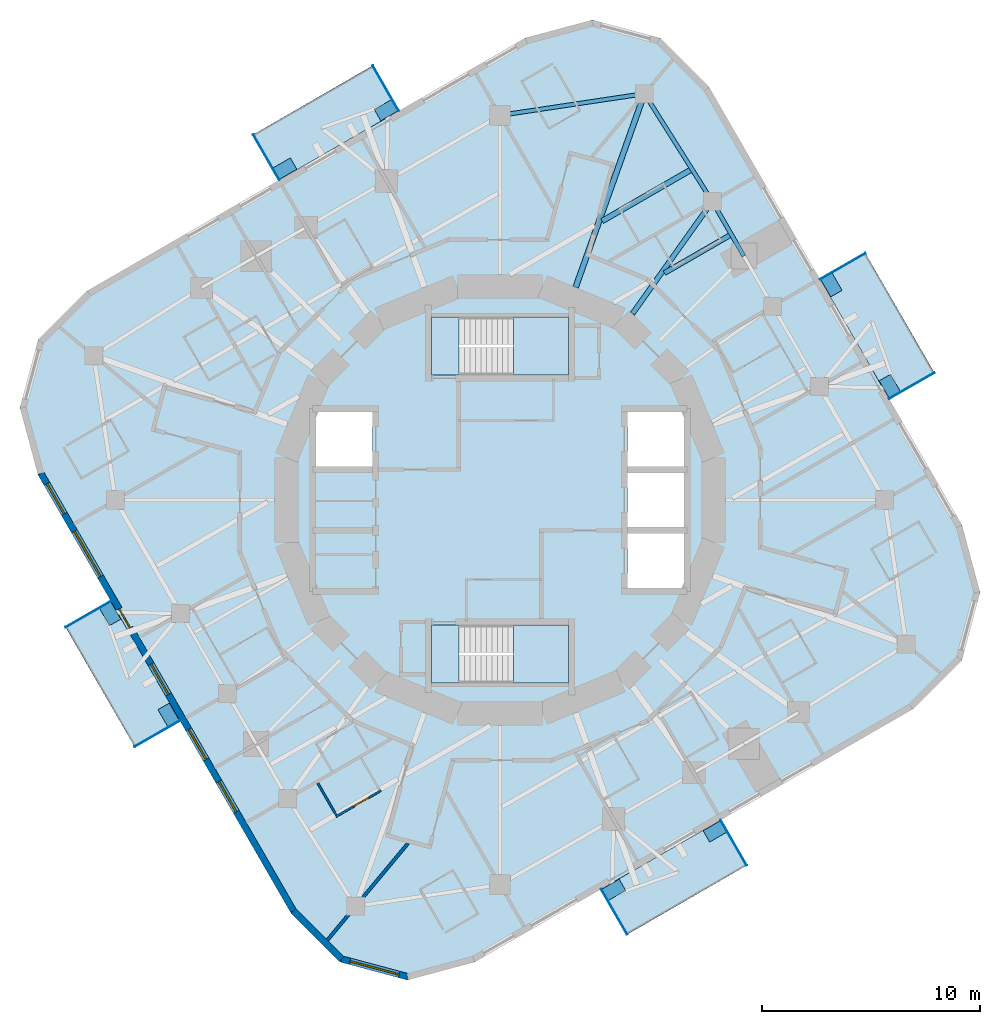
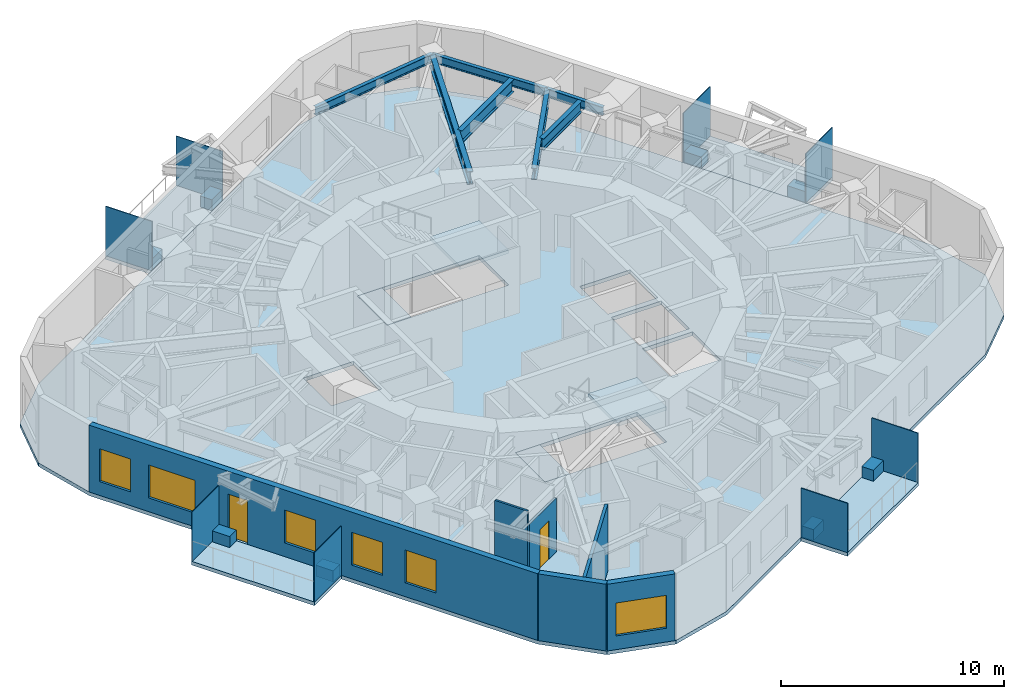
# One storey, part 3 of 11: 16 plates, 9 slabs, 7 beams, 6 walls, 6 windows, 2 doors, 8 openings, 2 elements without a shape of their own.
"""IFC4 building model written with IfcOpenShell, lengths in metres."""

from ifc_helpers import new_model, si_unit, direction, frame, frame_2d, origin, origin_2d, place, context, subcontext, project, spatial, polyline, rectangle, i_section, outline, extrude, material, layer, layer_set, material_profile, profile_set, type_object, element, fill, aggregate, save


model = new_model("IFC4")

# Units and contexts
model_context = context("Model", 3, precision=1e-05, world=origin(), true_north=direction((0.0, 1.0)))
body_context = subcontext(model_context, "Body", "Model", "MODEL_VIEW")
ifc_project = project(units=[si_unit("LENGTHUNIT", "METRE"), si_unit("AREAUNIT", "SQUARE_METRE"), si_unit("VOLUMEUNIT", "CUBIC_METRE"), si_unit("PLANEANGLEUNIT", "RADIAN"), si_unit("MASSUNIT", "GRAM", prefix="KILO")], contexts=[model_context])

# Site, building, storey
site_placement = place(None, origin())
site = spatial("IfcSite", under=ifc_project, at=site_placement, CompositionType="ELEMENT")
building_placement = place(site_placement, origin())
building = spatial("IfcBuilding", under=site, at=building_placement, Name="Nakasero Lantern House", CompositionType="ELEMENT")
storey_placement = place(building_placement, frame((0.0, 0.0, 242.35009765625)))
storey = spatial("IfcBuildingStorey", under=building, at=storey_placement, Name="L59", CompositionType="ELEMENT", Elevation=242.35009765625)

# Beams
ifc_material_1 = material(Name="Steel S355", Category="steel")
ifc_material_profile_1 = material_profile(ifc_material_1, i_section(OverallWidth=0.22900390625, OverallDepth=0.6123046875, WebThickness=0.011962890625, FlangeThickness=0.01953125, FilletRadius=0.0126953125, at=origin_2d()), Name="UB 610x229x125")
ifc_profile_set_1 = profile_set([ifc_material_profile_1], Name="Steel S355")
beam_type_1 = type_object("IfcBeamType", Name="Infill beam UB 610x229x125", PredefinedType="JOIST", material=ifc_profile_set_1)
beam_1_placement = place(storey_placement, frame((7.552001953125, 10.42236328125, 3.34375), z_axis=(0.866006607564, 0.500032554596, 0.0), x_axis=(-0.500032554596, 0.866006607564, 0.0)))
element("IfcBeam", 1, at=beam_1_placement, inside=storey, type_object=beam_type_1, Name="Infill beam L60 08.3", PredefinedType="JOIST", context=body_context, shape_type="SweptSolid", body=[
    extrude(i_section(OverallWidth=0.22900390625, OverallDepth=0.6123046875, WebThickness=0.011962890625, FlangeThickness=0.01953125, FilletRadius=0.0126953125, at=origin_2d()), origin(), (0.0, 0.0, 1.0), 3.452880859375),
])
ifc_material_2 = material(Name="Steel S355", Category="steel")
ifc_material_profile_2 = material_profile(ifc_material_2, i_section(OverallWidth=0.253662109375, OverallDepth=0.68359375, WebThickness=0.012451171875, FlangeThickness=0.01904296875, FilletRadius=0.01513671875, at=origin_2d()), Name="UB 686x254x140")
ifc_profile_set_2 = profile_set([ifc_material_profile_2], Name="Steel S355")
beam_type_2 = type_object("IfcBeamType", Name="Infill beam UB 686x254x140", PredefinedType="JOIST", material=ifc_profile_set_2)
beam_2_placement = place(storey_placement, frame((4.691162109375, 12.81201171875, 3.30810546875), z_axis=(0.866030607649, 0.499990986534, 0.0), x_axis=(-0.499990986534, 0.866030607649, 0.0)))
element("IfcBeam", 2, at=beam_2_placement, inside=storey, type_object=beam_type_2, Name="Infill beam L60 09.3", PredefinedType="JOIST", context=body_context, shape_type="SweptSolid", body=[
    extrude(i_section(OverallWidth=0.253662109375, OverallDepth=0.68359375, WebThickness=0.012451171875, FlangeThickness=0.01904296875, FilletRadius=0.01513671875, at=origin_2d()), origin(), (0.0, 0.0, 1.0), 4.66943359375),
])
ifc_material_3 = material(Name="Steel S355", Category="steel")
ifc_material_profile_3 = material_profile(ifc_material_3, i_section(OverallWidth=0.22900390625, OverallDepth=0.6123046875, WebThickness=0.011962890625, FlangeThickness=0.01953125, FilletRadius=0.0126953125, at=origin_2d()), Name="UB 610x229x125")
ifc_profile_set_3 = profile_set([ifc_material_profile_3], Name="Steel S355")
beam_type_3 = type_object("IfcBeamType", Name="Primary beam UB 610x229x125, span 6 to 9 m", PredefinedType="BEAM", material=ifc_profile_set_3)
beam_3_placement = place(storey_placement, frame((9.75048828125, 13.711669921875, 3.34375), z_axis=(-0.579504973637, -0.814968702178, 0.0), x_axis=(0.814968702178, -0.579504973637, 0.0)))
element("IfcBeam", 3, at=beam_3_placement, inside=storey, type_object=beam_type_3, Name="Primary beam L60 B6-C07", PredefinedType="BEAM", context=body_context, shape_type="SweptSolid", body=[
    extrude(i_section(OverallWidth=0.22900390625, OverallDepth=0.6123046875, WebThickness=0.011962890625, FlangeThickness=0.01953125, FilletRadius=0.0126953125, at=origin_2d()), origin(), (0.0, 0.0, 1.0), 6.320556640625),
])
ifc_material_4 = material(Name="Steel S355", Category="steel")
ifc_material_profile_4 = material_profile(ifc_material_4, i_section(OverallWidth=0.255859375, OverallDepth=0.69287109375, WebThickness=0.014404296875, FlangeThickness=0.023681640625, FilletRadius=0.01513671875, at=origin_2d()), Name="UB 686x254x170")
ifc_profile_set_4 = profile_set([ifc_material_profile_4], Name="Steel S355")
beam_type_4 = type_object("IfcBeamType", Name="Primary beam UB 686x254x170, span 9 to 12 m", PredefinedType="BEAM", material=ifc_profile_set_4)
beam_4_placement = place(storey_placement, frame((6.63525390625, 18.661376953125, 3.303466796875), z_axis=(-0.335006604588, -0.942215779364, 0.0), x_axis=(0.942215779364, -0.335006604588, 0.0)))
element("IfcBeam", 4, at=beam_4_placement, inside=storey, type_object=beam_type_4, Name="Primary beam L60 B6-C08", PredefinedType="BEAM", context=body_context, shape_type="SweptSolid", body=[
    extrude(i_section(OverallWidth=0.255859375, OverallDepth=0.69287109375, WebThickness=0.014404296875, FlangeThickness=0.023681640625, FilletRadius=0.01513671875, at=origin_2d()), origin(), (0.0, 0.0, 1.0), 9.4345703125),
])
ifc_material_5 = material(Name="Steel S355", Category="steel")
ifc_material_profile_5 = material_profile(ifc_material_5, i_section(OverallWidth=0.18994140625, OverallDepth=0.453369140625, WebThickness=0.008544921875, FlangeThickness=0.0126953125, FilletRadius=0.01025390625, at=origin_2d()), Name="UB 457x191x67")
ifc_profile_set_5 = profile_set([ifc_material_profile_5], Name="Steel S355")
beam_type_5 = type_object("IfcBeamType", Name="Ring beam UB 457x191x67", PredefinedType="BEAM", material=ifc_profile_set_5)
beam_5_placement = place(storey_placement, frame((9.75048828125, 13.711669921875, 3.423095703125), z_axis=(-0.532660471024, 0.846329027393, 0.0), x_axis=(-0.846329027393, -0.532660471024, 0.0)))
element("IfcBeam", 5, at=beam_5_placement, inside=storey, type_object=beam_type_5, Name="Ring beam L60 B6-C07", PredefinedType="BEAM", context=body_context, shape_type="SweptSolid", body=[
    extrude(i_section(OverallWidth=0.18994140625, OverallDepth=0.453369140625, WebThickness=0.008544921875, FlangeThickness=0.0126953125, FilletRadius=0.01025390625, at=origin_2d()), origin(), (0.0, 0.0, 1.0), 5.848388671875),
])
ifc_material_6 = material(Name="Steel S355", Category="steel")
ifc_material_profile_6 = material_profile(ifc_material_6, i_section(OverallWidth=0.19140625, OverallDepth=0.4599609375, WebThickness=0.010009765625, FlangeThickness=0.01611328125, FilletRadius=0.01025390625, at=origin_2d()), Name="UB 457x191x82")
ifc_profile_set_6 = profile_set([ifc_material_profile_6], Name="Steel S355")
beam_type_6 = type_object("IfcBeamType", Name="Ring beam UB 457x191x82", PredefinedType="BEAM", material=ifc_profile_set_6)
beam_6_placement = place(storey_placement, frame((11.200439453125, 11.200439453125, 3.419921875), z_axis=(-0.500023687443, 0.866011727401, 0.0), x_axis=(-0.866011727401, -0.500023687443, 0.0)))
element("IfcBeam", 6, at=beam_6_placement, inside=storey, type_object=beam_type_6, Name="Ring beam L60 B6-C06", PredefinedType="BEAM", context=body_context, shape_type="SweptSolid", body=[
    extrude(i_section(OverallWidth=0.19140625, OverallDepth=0.4599609375, WebThickness=0.010009765625, FlangeThickness=0.01611328125, FilletRadius=0.01025390625, at=origin_2d()), origin(), (0.0, 0.0, 1.0), 2.899658203125),
])
beam_7_placement = place(storey_placement, frame((6.63525390625, 18.661376953125, 3.419921875), z_axis=(-0.988956095107, -0.148208778253, 0.0), x_axis=(0.148208778253, -0.988956095107, 0.0)))
element("IfcBeam", 7, at=beam_7_placement, inside=storey, type_object=beam_type_6, Name="Ring beam L60 B6-C08", PredefinedType="BEAM", context=body_context, shape_type="SweptSolid", body=[
    extrude(i_section(OverallWidth=0.19140625, OverallDepth=0.4599609375, WebThickness=0.010009765625, FlangeThickness=0.01611328125, FilletRadius=0.01025390625, at=origin_2d()), origin(), (0.0, 0.0, 1.0), 6.70947265625),
])

# Plates
ifc_material_7 = material(Name="Aluminium 6063-T6", Category="aluminium")
ifc_layer_1 = layer(ifc_material_7, 0.60009765625)
ifc_layer_set_1 = layer_set([ifc_layer_1], Name="Balcony planter 600x900")
plate_type_1 = type_object("IfcPlateType", Name="Balcony planter 600x900", PredefinedType="USERDEFINED", material=ifc_layer_set_1)
for number, where, z_axis, x_axis, name in (
    (8, (17.901611328125, 5.2333984375, -0.000244140625), (0.0, 0.0, 1.0), (0.866025403784, 0.5, 0.0), "Balcony PLANTER L59 BAL0A"),
    (9, (15.225830078125, 9.867919921875, -0.000244140625), (0.0, 0.0, 1.0), (0.866025403784, 0.5, 0.0), "Balcony PLANTER L59 BAL0B"),
    (10, (-5.2333984375, 17.901611328125, -0.000244140625), (0.0, 0.0, 1.0), (-0.5, 0.866025403784, 0.0), "Balcony PLANTER L59 BAL1A"),
    (11, (-9.867919921875, 15.225830078125, -0.000244140625), (0.0, 0.0, 1.0), (-0.5, 0.866025403784, 0.0), "Balcony PLANTER L59 BAL1B"),
    (12, (-17.901611328125, -5.2333984375, -0.000244140625), (0.0, 0.0, 1.0), (-0.866025403784, -0.5, 0.0), "Balcony PLANTER L59 BAL2A"),
    (13, (-15.225830078125, -9.867919921875, -0.000244140625), (0.0, 0.0, 1.0), (-0.866025403784, -0.5, 0.0), "Balcony PLANTER L59 BAL2B"),
    (14, (5.2333984375, -17.901611328125, -0.000244140625), (0.0, 0.0, 1.0), (0.5, -0.866025403784, 0.0), "Balcony PLANTER L59 BAL3A"),
    (15, (9.867919921875, -15.225830078125, -0.000244140625), (0.0, 0.0, 1.0), (0.5, -0.866025403784, 0.0), "Balcony PLANTER L59 BAL3B"),
):
    element("IfcPlate", number, at=place(storey_placement, frame(where, z_axis=z_axis, x_axis=x_axis)), inside=storey, type_object=plate_type_1, Name=name, ObjectType="PLANTER", PredefinedType="USERDEFINED", context=body_context, shape_type="SweptSolid", body=[
        extrude(rectangle(XDim=0.60009765625, YDim=0.89990234375, at=origin_2d()), origin(), (0.0, 0.0, 1.0), 0.60009765625),
    ])
ifc_material_8 = material(Name="Aluminium 6063-T6", Category="aluminium")
ifc_layer_2 = layer(ifc_material_8, 0.0400390625)
ifc_layer_set_2 = layer_set([ifc_layer_2], Name="Balcony screen 2400x2700")
plate_type_2 = type_object("IfcPlateType", Name="Balcony screen 2400x2700", PredefinedType="SHEET", material=ifc_layer_set_2)
for number, where, z_axis, x_axis, name in (
    (16, (18.90869140625, 5.2490234375, 0.0), (0.0, 0.0, 1.0), (0.866025403784, 0.5, 0.0), "Balcony SCREEN L59 BAL0A"),
    (17, (15.7431640625, 10.732177734375, 0.0), (0.0, 0.0, 1.0), (0.866025403784, 0.5, 0.0), "Balcony SCREEN L59 BAL0B"),
    (18, (-5.2490234375, 18.90869140625, 0.0), (0.0, 0.0, 1.0), (-0.5, 0.866025403784, 0.0), "Balcony SCREEN L59 BAL1A"),
    (19, (-10.732177734375, 15.7431640625, 0.0), (0.0, 0.0, 1.0), (-0.5, 0.866025403784, 0.0), "Balcony SCREEN L59 BAL1B"),
    (20, (-18.90869140625, -5.2490234375, 0.0), (0.0, 0.0, 1.0), (-0.866025403784, -0.5, 0.0), "Balcony SCREEN L59 BAL2A"),
    (21, (-15.7431640625, -10.732177734375, 0.0), (0.0, 0.0, 1.0), (-0.866025403784, -0.5, 0.0), "Balcony SCREEN L59 BAL2B"),
    (22, (5.2490234375, -18.90869140625, 0.0), (0.0, 0.0, 1.0), (0.5, -0.866025403784, 0.0), "Balcony SCREEN L59 BAL3A"),
    (23, (10.732177734375, -15.7431640625, 0.0), (0.0, 0.0, 1.0), (0.5, -0.866025403784, 0.0), "Balcony SCREEN L59 BAL3B"),
):
    element("IfcPlate", number, at=place(storey_placement, frame(where, z_axis=z_axis, x_axis=x_axis)), inside=storey, type_object=plate_type_2, Name=name, PredefinedType="SHEET", context=body_context, shape_type="SweptSolid", body=[
        extrude(rectangle(XDim=2.39990234375, YDim=0.0400390625, at=origin_2d()), origin(), (0.0, 0.0, 1.0), 2.699951171875),
    ])

# Slabs
ifc_material_9 = material(Name="Concrete C35/45", Category="concrete")
ifc_layer_3 = layer(ifc_material_9, 0.199951171875)
ifc_layer_set_3 = layer_set([ifc_layer_3], Name="Balcony slab 200")
slab_type_1 = type_object("IfcSlabType", Name="Balcony slab 200", PredefinedType="USERDEFINED", material=ifc_layer_set_3)
slab_1_placement = place(storey_placement, frame((0.0, 0.0, -0.2001953125)))
element("IfcSlab", 24, at=slab_1_placement, inside=storey, type_object=slab_type_1, Name="Balcony L59 BAL0", ObjectType="BALCONY", PredefinedType="USERDEFINED", context=body_context, shape_type="SweptSolid", body=[
    extrude(outline(polyline([(17.879638671875, 4.6318359375), (19.9580078125, 5.831787109375), (16.772216796875, 11.349609375), (14.69384765625, 10.149658203125), (17.879638671875, 4.6318359375)])), origin(), (0.0, 0.0, 1.0), 0.2001953125),
])
slab_2_placement = place(storey_placement, frame((0.0, 0.0, -0.2001953125)))
element("IfcSlab", 25, at=slab_2_placement, inside=storey, type_object=slab_type_1, Name="Balcony L59 BAL1", ObjectType="BALCONY", PredefinedType="USERDEFINED", context=body_context, shape_type="SweptSolid", body=[
    extrude(outline(polyline([(-4.6318359375, 17.879638671875), (-5.831787109375, 19.9580078125), (-11.349609375, 16.772216796875), (-10.149658203125, 14.69384765625), (-4.6318359375, 17.879638671875)])), origin(), (0.0, 0.0, 1.0), 0.2001953125),
])
slab_3_placement = place(storey_placement, frame((0.0, 0.0, -0.2001953125)))
element("IfcSlab", 26, at=slab_3_placement, inside=storey, type_object=slab_type_1, Name="Balcony L59 BAL2", ObjectType="BALCONY", PredefinedType="USERDEFINED", context=body_context, shape_type="SweptSolid", body=[
    extrude(outline(polyline([(-17.879638671875, -4.6318359375), (-19.9580078125, -5.831787109375), (-16.772216796875, -11.349609375), (-14.69384765625, -10.149658203125), (-17.879638671875, -4.6318359375)])), origin(), (0.0, 0.0, 1.0), 0.2001953125),
])
slab_4_placement = place(storey_placement, frame((0.0, 0.0, -0.2001953125)))
element("IfcSlab", 27, at=slab_4_placement, inside=storey, type_object=slab_type_1, Name="Balcony L59 BAL3", ObjectType="BALCONY", PredefinedType="USERDEFINED", context=body_context, shape_type="SweptSolid", body=[
    extrude(outline(polyline([(4.6318359375, -17.879638671875), (5.831787109375, -19.9580078125), (11.349609375, -16.772216796875), (10.149658203125, -14.69384765625), (4.6318359375, -17.879638671875)])), origin(), (0.0, 0.0, 1.0), 0.2001953125),
])
ifc_material_10 = material(Name="Concrete C35/45", Category="concrete")
ifc_layer_4 = layer(ifc_material_10, 0.199951171875)
ifc_layer_set_4 = layer_set([ifc_layer_4], Name="Composite floor slab 200")
slab_type_2 = type_object("IfcSlabType", Name="Composite floor slab 200", PredefinedType="FLOOR", material=ifc_layer_set_4)
slab_5_placement = place(storey_placement, frame((0.0, 0.0, -0.2001953125)))
element("IfcSlab", 28, at=slab_5_placement, inside=storey, type_object=slab_type_2, Name="Floor slab L59", PredefinedType="FLOOR", context=body_context, shape_type="SweptSolid", body=[
    extrude(outline(polyline([(9.615234375, 18.94580078125), (7.345947265625, 21.21533203125), (4.245849609375, 22.0458984375), (1.14599609375, 21.21533203125), (-18.94580078125, 9.615234375), (-21.21533203125, 7.345947265625), (-22.0458984375, 4.245849609375), (-21.21533203125, 1.14599609375), (-9.615234375, -18.94580078125), (-7.345947265625, -21.21533203125), (-4.245849609375, -22.0458984375), (-1.14599609375, -21.21533203125), (18.94580078125, -9.615234375), (21.21533203125, -7.345947265625), (22.0458984375, -4.245849609375), (21.21533203125, -1.14599609375), (9.615234375, 18.94580078125)]), holes=[polyline([(-8.449951171875, 1.550048828125), (-5.85009765625, 1.550048828125), (-5.85009765625, 4.050048828125), (-8.449951171875, 4.050048828125), (-8.449951171875, 1.550048828125)]), polyline([(5.85009765625, -4.050048828125), (8.449951171875, -4.050048828125), (8.449951171875, -1.550048828125), (5.85009765625, -1.550048828125), (5.85009765625, -4.050048828125)]), polyline([(5.85009765625, -1.25), (8.449951171875, -1.25), (8.449951171875, 1.25), (5.85009765625, 1.25), (5.85009765625, -1.25)]), polyline([(5.85009765625, 1.550048828125), (8.449951171875, 1.550048828125), (8.449951171875, 4.050048828125), (5.85009765625, 4.050048828125), (5.85009765625, 1.550048828125)]), polyline([(-3.14990234375, 5.75), (3.14990234375, 5.75), (3.14990234375, 8.39990234375), (-3.14990234375, 8.39990234375), (-3.14990234375, 5.75)]), polyline([(-3.14990234375, -8.39990234375), (3.14990234375, -8.39990234375), (3.14990234375, -5.75), (-3.14990234375, -5.75), (-3.14990234375, -8.39990234375)])]), origin(), (0.0, 0.0, 1.0), 0.2001953125),
])

# Stair, slabs
ifc_material_11 = material(Name="Concrete C40/50", Category="concrete")
stair_type_1 = type_object("IfcStairType", Name="Escape stair ST1 22 risers", PredefinedType="HALF_TURN_STAIR", material=ifc_material_11)
stair_1_placement = place(storey_placement, origin())
stair_1 = element("IfcStair", 29, at=stair_1_placement, inside=storey, type_object=stair_type_1, Name="Escape stair ST1 L59", PredefinedType="HALF_TURN_STAIR")
ifc_material_12 = material(Name="Concrete C40/50", Category="concrete")
ifc_layer_5 = layer(ifc_material_12, 0.199951171875)
ifc_layer_set_5 = layer_set([ifc_layer_5], Name="Stair landing 200")
slab_type_3 = type_object("IfcSlabType", Name="Stair landing 200", PredefinedType="LANDING", material=ifc_layer_set_5)
slab_6_placement = place(storey_placement, frame((0.0, 0.0, -0.2001953125)))
slab_6 = element("IfcSlab", 30, at=slab_6_placement, type_object=slab_type_3, Name="ST1 landing 1", PredefinedType="LANDING", context=body_context, shape_type="SweptSolid", body=[
    extrude(outline(polyline([(-3.14990234375, 5.75), (-1.875, 5.75), (-1.875, 8.39990234375), (-3.14990234375, 8.39990234375), (-3.14990234375, 5.75)])), origin(), (0.0, 0.0, 1.0), 0.2001953125),
])
slab_7_placement = place(storey_placement, frame((0.0, 0.0, 1.724853515625)))
slab_7 = element("IfcSlab", 31, at=slab_7_placement, type_object=slab_type_3, Name="ST1 landing 2", PredefinedType="LANDING", context=body_context, shape_type="SweptSolid", body=[
    extrude(outline(polyline([(0.625, 5.75), (3.14990234375, 5.75), (3.14990234375, 8.39990234375), (0.625, 8.39990234375), (0.625, 5.75)])), origin(), (0.0, 0.0, 1.0), 0.199951171875),
])
aggregate(stair_1, [slab_6, slab_7])

ifc_material_13 = material(Name="Concrete C40/50", Category="concrete")
stair_type_2 = type_object("IfcStairType", Name="Escape stair ST2 22 risers", PredefinedType="HALF_TURN_STAIR", material=ifc_material_13)
stair_2_placement = place(storey_placement, origin())
stair_2 = element("IfcStair", 32, at=stair_2_placement, inside=storey, type_object=stair_type_2, Name="Escape stair ST2 L59", PredefinedType="HALF_TURN_STAIR")
slab_8_placement = place(storey_placement, frame((0.0, 0.0, -0.2001953125)))
slab_8 = element("IfcSlab", 33, at=slab_8_placement, type_object=slab_type_3, Name="ST2 landing 1", PredefinedType="LANDING", context=body_context, shape_type="SweptSolid", body=[
    extrude(outline(polyline([(-3.14990234375, -8.39990234375), (-1.875, -8.39990234375), (-1.875, -5.75), (-3.14990234375, -5.75), (-3.14990234375, -8.39990234375)])), origin(), (0.0, 0.0, 1.0), 0.2001953125),
])
slab_9_placement = place(storey_placement, frame((0.0, 0.0, 1.724853515625)))
slab_9 = element("IfcSlab", 34, at=slab_9_placement, type_object=slab_type_3, Name="ST2 landing 2", PredefinedType="LANDING", context=body_context, shape_type="SweptSolid", body=[
    extrude(outline(polyline([(0.625, -8.39990234375), (3.14990234375, -8.39990234375), (3.14990234375, -5.75), (0.625, -5.75), (0.625, -8.39990234375)])), origin(), (0.0, 0.0, 1.0), 0.199951171875),
])
aggregate(stair_2, [slab_8, slab_9])

# Wall, opening, door
ifc_material_14 = material(Name="Blockwork", Category="masonry")
ifc_layer_6 = layer(ifc_material_14, 0.10009765625)
ifc_layer_set_6 = layer_set([ifc_layer_6], Name="En-suite wall 100")
wall_type_1 = type_object("IfcWallType", Name="En-suite wall 100", PredefinedType="PARTITIONING", material=ifc_layer_set_6)
wall_1_placement = place(storey_placement, frame((-5.46044921875, -13.342041015625, 0.0), z_axis=(0.0, 0.0, 1.0), x_axis=(-0.866006032174, -0.500033551112, 0.0)))
wall_1 = element("IfcWall", 35, at=wall_1_placement, inside=storey, type_object=wall_type_1, Name="En-suite wall L59 ES2-06", PredefinedType="PARTITIONING", context=body_context, shape_type="SweptSolid", body=[
    extrude(rectangle(XDim=2.400146484375, YDim=0.10009765625, at=frame_2d((1.2001953125, 0.0))), origin(), (0.0, 0.0, 1.0), 2.96630859375),
])
opening_1_placement = place(wall_1_placement, frame((0.64990234375, 0.0, 0.0)))
opening_1 = element("IfcOpeningElement", 36, at=opening_1_placement, cuts=wall_1, Name="Opening D02", PredefinedType="OPENING", context=body_context, shape_type="SweptSolid", body=[
    extrude(rectangle(XDim=0.800048828125, YDim=2.10009765625, at=frame_2d((0.39990234375, 1.050048828125))), frame((0.0, 0.070068359375, 0.0), z_axis=(0.0, -1.0, 0.0), x_axis=(1.0, 0.0, 0.0)), (0.0, 0.0, 1.0), 0.14013671875),
])
ifc_material_15 = material(Name="Timber C24", Category="wood")
door_type_1 = type_object("IfcDoorType", Name="En-suite door 800", OperationType="SINGLE_SWING_RIGHT", PredefinedType="DOOR", material=ifc_material_15)
door_1_placement = place(opening_1_placement, origin())
door_1 = element("IfcDoor", 37, at=door_1_placement, inside=storey, type_object=door_type_1, Name="Door L59 DE2-06", OperationType="SINGLE_SWING_LEFT", OverallHeight=2.10009765625, OverallWidth=0.800048828125, PredefinedType="DOOR", context=body_context, shape_type="SweptSolid", body=[
    extrude(rectangle(XDim=0.800048828125, YDim=2.10009765625, at=frame_2d((0.39990234375, 1.050048828125))), frame((0.0, 0.02490234375, 0.0), z_axis=(0.0, -1.0, 0.0), x_axis=(1.0, 0.0, 0.0)), (0.0, 0.0, 1.0), 0.050048828125),
])
fill(opening_1, door_1)

# Wall
wall_2_placement = place(storey_placement, frame((-8.37060546875, -13.001708984375, 0.0), z_axis=(0.0, 0.0, 1.0), x_axis=(0.499954529098, -0.86605165483, 0.0)))
element("IfcWall", 38, at=wall_2_placement, inside=storey, type_object=wall_type_1, Name="En-suite wall L59 EE2-06", PredefinedType="PARTITIONING", context=body_context, shape_type="SweptSolid", body=[
    extrude(rectangle(XDim=1.699951171875, YDim=0.10009765625, at=frame_2d((0.85009765625, 0.0))), origin(), (0.0, 0.0, 1.0), 3.64990234375),
])

# Wall, openings, door, windows
ifc_material_16 = material(Name="Aluminium rainscreen on blockwork", Category="masonry")
ifc_layer_7 = layer(ifc_material_16, 0.300048828125)
ifc_layer_set_7 = layer_set([ifc_layer_7], Name="Facade wall 300")
wall_type_2 = type_object("IfcWallType", Name="Facade wall 300", PredefinedType="SOLIDWALL", material=ifc_layer_set_7)
wall_3_placement = place(storey_placement, frame((-21.08544921875, 1.220947265625, 0.0), z_axis=(0.0, 0.0, 1.0), x_axis=(0.500003016864, -0.86602366199, 0.0)))
wall_3 = element("IfcWall", 39, at=wall_3_placement, inside=storey, type_object=wall_type_2, Name="Facade wall L59 FW2S", PredefinedType="SOLIDWALL", context=body_context, shape_type="SweptSolid", body=[
    extrude(rectangle(XDim=23.199951171875, YDim=0.300048828125, at=frame_2d((11.60009765625, 0.0))), origin(), (0.0, 0.0, 1.0), 3.64990234375),
])
opening_2_placement = place(wall_3_placement, frame((0.5458984375, 0.0, 0.75)))
opening_2 = element("IfcOpeningElement", 40, at=opening_2_placement, cuts=wall_3, Name="Opening W01", PredefinedType="OPENING", context=body_context, shape_type="SweptSolid", body=[
    extrude(rectangle(XDim=1.60009765625, YDim=1.800048828125, at=frame_2d((0.800048828125, 0.89990234375))), frame((0.0, 0.169921875, 0.0), z_axis=(0.0, -1.0, 0.0), x_axis=(1.0, 0.0, 0.0)), (0.0, 0.0, 1.0), 0.340087890625),
])
opening_3_placement = place(wall_3_placement, frame((10.11767578125, 0.0, 0.75)))
opening_3 = element("IfcOpeningElement", 41, at=opening_3_placement, cuts=wall_3, Name="Opening W01", PredefinedType="OPENING", context=body_context, shape_type="SweptSolid", body=[
    extrude(rectangle(XDim=1.60009765625, YDim=1.800048828125, at=frame_2d((0.800048828125, 0.89990234375))), frame((0.0, 0.169921875, 0.0), z_axis=(0.0, -1.0, 0.0), x_axis=(1.0, 0.0, 0.0)), (0.0, 0.0, 1.0), 0.340087890625),
])
opening_4_placement = place(wall_3_placement, frame((13.5751953125, 0.0, 0.75)))
opening_4 = element("IfcOpeningElement", 42, at=opening_4_placement, cuts=wall_3, Name="Opening W01", PredefinedType="OPENING", context=body_context, shape_type="SweptSolid", body=[
    extrude(rectangle(XDim=1.60009765625, YDim=1.800048828125, at=frame_2d((0.800048828125, 0.89990234375))), frame((0.0, 0.169921875, 0.0), z_axis=(0.0, -1.0, 0.0), x_axis=(1.0, 0.0, 0.0)), (0.0, 0.0, 1.0), 0.340087890625),
])
opening_5_placement = place(wall_3_placement, frame((16.349609375, 0.0, 0.75)))
opening_5 = element("IfcOpeningElement", 43, at=opening_5_placement, cuts=wall_3, Name="Opening W01", PredefinedType="OPENING", context=body_context, shape_type="SweptSolid", body=[
    extrude(rectangle(XDim=1.60009765625, YDim=1.800048828125, at=frame_2d((0.800048828125, 0.89990234375))), frame((0.0, 0.169921875, 0.0), z_axis=(0.0, -1.0, 0.0), x_axis=(1.0, 0.0, 0.0)), (0.0, 0.0, 1.0), 0.340087890625),
])
opening_6_placement = place(wall_3_placement, frame((3.071044921875, 0.0, 0.75)))
opening_6 = element("IfcOpeningElement", 44, at=opening_6_placement, cuts=wall_3, Name="Opening W03", PredefinedType="OPENING", context=body_context, shape_type="SweptSolid", body=[
    extrude(rectangle(XDim=2.39990234375, YDim=1.800048828125, at=frame_2d((1.199951171875, 0.89990234375))), frame((0.0, 0.169921875, 0.0), z_axis=(0.0, -1.0, 0.0), x_axis=(1.0, 0.0, 0.0)), (0.0, 0.0, 1.0), 0.340087890625),
])
opening_7_placement = place(wall_3_placement, frame((7.1904296875, 0.0, 0.0)))
opening_7 = element("IfcOpeningElement", 45, at=opening_7_placement, cuts=wall_3, Name="Opening D04", PredefinedType="OPENING", context=body_context, shape_type="SweptSolid", body=[
    extrude(rectangle(XDim=1.0, YDim=2.39990234375, at=frame_2d((0.5, 1.199951171875))), frame((0.0, 0.169921875, 0.0), z_axis=(0.0, -1.0, 0.0), x_axis=(1.0, 0.0, 0.0)), (0.0, 0.0, 1.0), 0.340087890625),
])
ifc_material_17 = material(Name="Aluminium 6063-T6 and glass", Category="aluminium")
door_type_2 = type_object("IfcDoorType", Name="Balcony door 1000x2400", OperationType="SINGLE_SWING_RIGHT", PredefinedType="DOOR", material=ifc_material_17)
door_2_placement = place(opening_7_placement, origin())
door_2 = element("IfcDoor", 46, at=door_2_placement, inside=storey, type_object=door_type_2, Name="Balcony door L59 DB2", OperationType="SINGLE_SWING_RIGHT", OverallHeight=2.39990234375, OverallWidth=1.0, PredefinedType="DOOR", context=body_context, shape_type="SweptSolid", body=[
    extrude(rectangle(XDim=1.0, YDim=2.39990234375, at=frame_2d((0.5, 1.199951171875))), frame((0.0, 0.02490234375, 0.0), z_axis=(0.0, -1.0, 0.0), x_axis=(1.0, 0.0, 0.0)), (0.0, 0.0, 1.0), 0.050048828125),
])
fill(opening_7, door_2)
ifc_material_18 = material(Name="Aluminium 6063-T6 and glass", Category="aluminium")
window_type_1 = type_object("IfcWindowType", Name="Bedroom window 1600x1800", PartitioningType="SINGLE_PANEL", PredefinedType="WINDOW", material=ifc_material_18)
window_1_placement = place(opening_2_placement, origin())
window_1 = element("IfcWindow", 47, at=window_1_placement, inside=storey, type_object=window_type_1, Name="Window L59 WN2-00", OverallHeight=1.800048828125, OverallWidth=1.60009765625, PartitioningType="SINGLE_PANEL", PredefinedType="WINDOW", context=body_context, shape_type="SweptSolid", body=[
    extrude(rectangle(XDim=1.60009765625, YDim=1.800048828125, at=frame_2d((0.800048828125, 0.89990234375))), frame((0.0, 0.030029296875, 0.0), z_axis=(0.0, -1.0, 0.0), x_axis=(1.0, 0.0, 0.0)), (0.0, 0.0, 1.0), 0.06005859375),
])
fill(opening_2, window_1)
window_2_placement = place(opening_3_placement, origin())
window_2 = element("IfcWindow", 48, at=window_2_placement, inside=storey, type_object=window_type_1, Name="Window L59 WN2-03", OverallHeight=1.800048828125, OverallWidth=1.60009765625, PartitioningType="SINGLE_PANEL", PredefinedType="WINDOW", context=body_context, shape_type="SweptSolid", body=[
    extrude(rectangle(XDim=1.60009765625, YDim=1.800048828125, at=frame_2d((0.800048828125, 0.89990234375))), frame((0.0, 0.030029296875, 0.0), z_axis=(0.0, -1.0, 0.0), x_axis=(1.0, 0.0, 0.0)), (0.0, 0.0, 1.0), 0.06005859375),
])
fill(opening_3, window_2)
window_3_placement = place(opening_4_placement, origin())
window_3 = element("IfcWindow", 49, at=window_3_placement, inside=storey, type_object=window_type_1, Name="Window L59 WN2-04", OverallHeight=1.800048828125, OverallWidth=1.60009765625, PartitioningType="SINGLE_PANEL", PredefinedType="WINDOW", context=body_context, shape_type="SweptSolid", body=[
    extrude(rectangle(XDim=1.60009765625, YDim=1.800048828125, at=frame_2d((0.800048828125, 0.89990234375))), frame((0.0, 0.030029296875, 0.0), z_axis=(0.0, -1.0, 0.0), x_axis=(1.0, 0.0, 0.0)), (0.0, 0.0, 1.0), 0.06005859375),
])
fill(opening_4, window_3)
window_4_placement = place(opening_5_placement, origin())
window_4 = element("IfcWindow", 50, at=window_4_placement, inside=storey, type_object=window_type_1, Name="Window L59 WN2-05", OverallHeight=1.800048828125, OverallWidth=1.60009765625, PartitioningType="SINGLE_PANEL", PredefinedType="WINDOW", context=body_context, shape_type="SweptSolid", body=[
    extrude(rectangle(XDim=1.60009765625, YDim=1.800048828125, at=frame_2d((0.800048828125, 0.89990234375))), frame((0.0, 0.030029296875, 0.0), z_axis=(0.0, -1.0, 0.0), x_axis=(1.0, 0.0, 0.0)), (0.0, 0.0, 1.0), 0.06005859375),
])
fill(opening_5, window_4)
ifc_material_19 = material(Name="Aluminium 6063-T6 and glass", Category="aluminium")
window_type_2 = type_object("IfcWindowType", Name="Lounge window 2400x1800", PartitioningType="SINGLE_PANEL", PredefinedType="WINDOW", material=ifc_material_19)
window_5_placement = place(opening_6_placement, origin())
window_5 = element("IfcWindow", 51, at=window_5_placement, inside=storey, type_object=window_type_2, Name="Window L59 WK2", OverallHeight=1.800048828125, OverallWidth=2.39990234375, PartitioningType="SINGLE_PANEL", PredefinedType="WINDOW", context=body_context, shape_type="SweptSolid", body=[
    extrude(rectangle(XDim=2.39990234375, YDim=1.800048828125, at=frame_2d((1.199951171875, 0.89990234375))), frame((0.0, 0.030029296875, 0.0), z_axis=(0.0, -1.0, 0.0), x_axis=(1.0, 0.0, 0.0)), (0.0, 0.0, 1.0), 0.06005859375),
])
fill(opening_6, window_5)

# Wall
wall_4_placement = place(storey_placement, frame((-9.4853515625, -18.870849609375, 0.0), z_axis=(0.0, 0.0, 1.0), x_axis=(0.707067801733, -0.707145758492, 0.0)))
element("IfcWall", 52, at=wall_4_placement, inside=storey, type_object=wall_type_2, Name="Facade wall L59 FW2C1", PredefinedType="SOLIDWALL", context=body_context, shape_type="SweptSolid", body=[
    extrude(rectangle(XDim=3.1318359375, YDim=0.300048828125, at=frame_2d((1.56591796875, 0.0))), origin(), (0.0, 0.0, 1.0), 3.64990234375),
])

# Wall, opening, window
wall_5_placement = place(storey_placement, frame((-7.27099609375, -21.08544921875, 0.0), z_axis=(0.0, 0.0, 1.0), x_axis=(0.965928914048, -0.258807521156, 0.0)))
wall_5 = element("IfcWall", 53, at=wall_5_placement, inside=storey, type_object=wall_type_2, Name="Facade wall L59 FW2C2", PredefinedType="SOLIDWALL", context=body_context, shape_type="SweptSolid", body=[
    extrude(rectangle(XDim=3.1318359375, YDim=0.300048828125, at=frame_2d((1.56591796875, 0.0))), origin(), (0.0, 0.0, 1.0), 3.64990234375),
])
opening_8_placement = place(wall_5_placement, frame((0.39990234375, 0.0, 0.75)))
opening_8 = element("IfcOpeningElement", 54, at=opening_8_placement, cuts=wall_5, Name="Opening W223", PredefinedType="OPENING", context=body_context, shape_type="SweptSolid", body=[
    extrude(rectangle(XDim=2.33203125, YDim=1.800048828125, at=frame_2d((1.166015625, 0.89990234375))), frame((0.0, 0.169921875, 0.0), z_axis=(0.0, -1.0, 0.0), x_axis=(1.0, 0.0, 0.0)), (0.0, 0.0, 1.0), 0.340087890625),
])
ifc_material_20 = material(Name="Aluminium 6063-T6 and glass", Category="aluminium")
window_type_3 = type_object("IfcWindowType", Name="Corner window 2332x1800", PartitioningType="SINGLE_PANEL", PredefinedType="WINDOW", material=ifc_material_20)
window_6_placement = place(opening_8_placement, origin())
window_6 = element("IfcWindow", 55, at=window_6_placement, inside=storey, type_object=window_type_3, Name="Window L59 WC2", OverallHeight=1.800048828125, OverallWidth=2.33203125, PartitioningType="SINGLE_PANEL", PredefinedType="WINDOW", context=body_context, shape_type="SweptSolid", body=[
    extrude(rectangle(XDim=2.33203125, YDim=1.800048828125, at=frame_2d((1.166015625, 0.89990234375))), frame((0.0, 0.030029296875, 0.0), z_axis=(0.0, -1.0, 0.0), x_axis=(1.0, 0.0, 0.0)), (0.0, 0.0, 1.0), 0.06005859375),
])
fill(opening_8, window_6)

# Wall
ifc_material_21 = material(Name="Blockwork", Category="masonry")
ifc_layer_8 = layer(ifc_material_21, 0.14990234375)
ifc_layer_set_8 = layer_set([ifc_layer_8], Name="Party wall 150")
wall_type_3 = type_object("IfcWallType", Name="Party wall 150", PredefinedType="PARTITIONING", material=ifc_layer_set_8)
wall_6_placement = place(storey_placement, frame((-4.224853515625, -15.767578125, 0.0), z_axis=(0.0, 0.0, 1.0), x_axis=(-0.639993357533, -0.768380441131, 0.0)))
element("IfcWall", 56, at=wall_6_placement, inside=storey, type_object=wall_type_3, Name="Party wall L59 PW3-00", PredefinedType="PARTITIONING", context=body_context, shape_type="SweptSolid", body=[
    extrude(rectangle(XDim=5.78271484375, YDim=0.14990234375, at=frame_2d((2.891357421875, 0.0))), origin(), (0.0, 0.0, 1.0), 3.64990234375),
])

save(model, "model.ifc")
